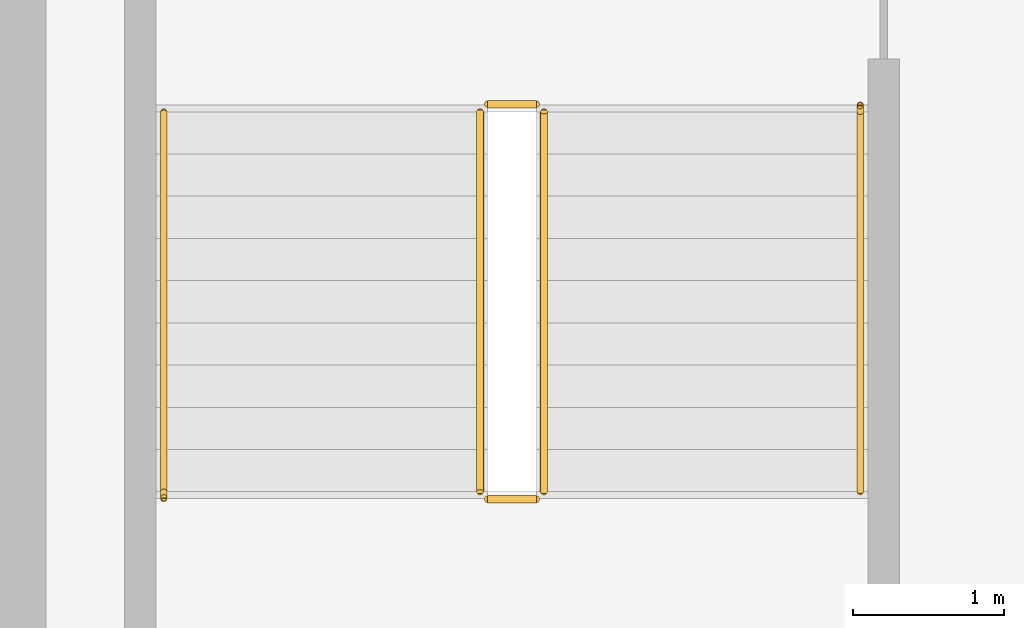
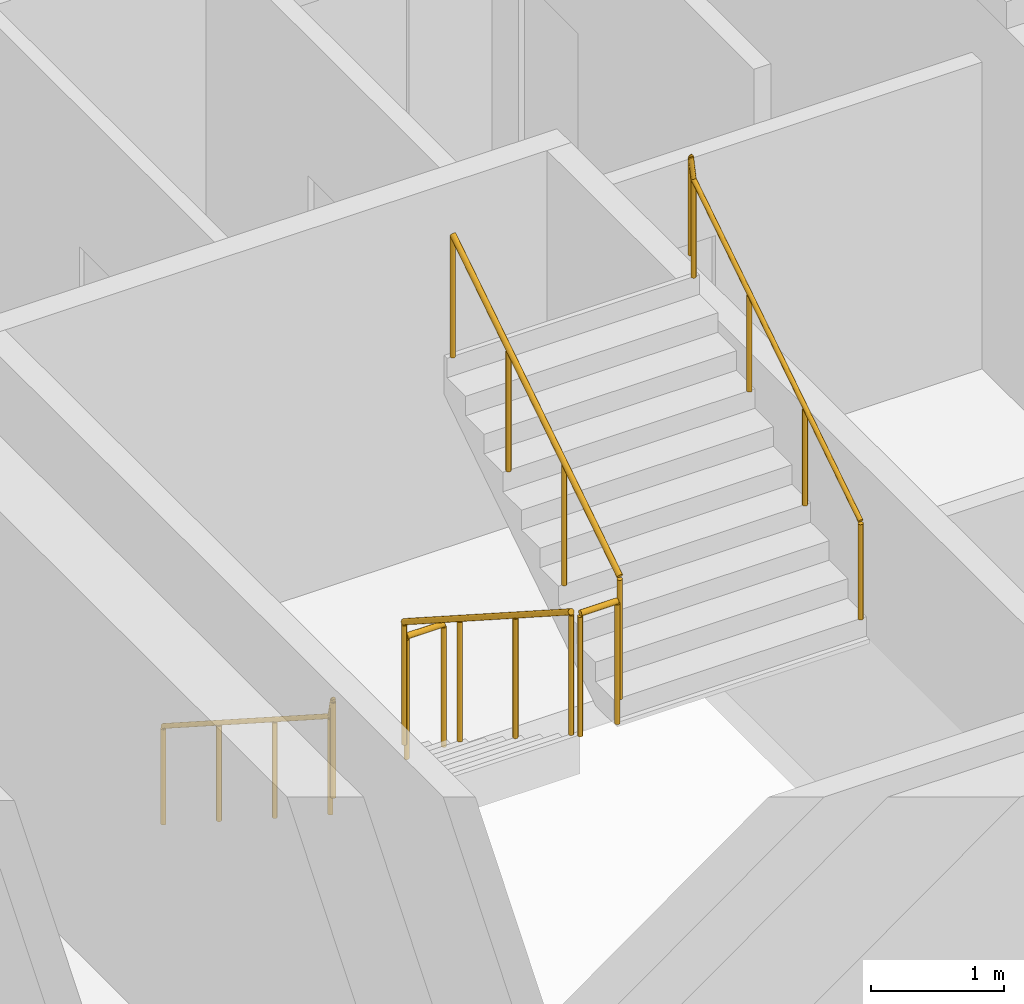
# One storey, part 5 of 7: 6 railings.
"""IFC4 building model written with IfcOpenShell, lengths in metres."""

from ifc_helpers import new_model, si_unit, direction, frame, origin, origin_2d, place, context, subcontext, project, spatial, circle, extrude, material, type_object, element, save


model = new_model("IFC4")

# Units and contexts
model_context = context("Model", 3, precision=1e-05, world=origin(), true_north=direction((0.0, 1.0)))
body_context = subcontext(model_context, "Body", "Model", "MODEL_VIEW")
ifc_project = project(units=[si_unit("LENGTHUNIT", "METRE"), si_unit("AREAUNIT", "SQUARE_METRE"), si_unit("VOLUMEUNIT", "CUBIC_METRE"), si_unit("PLANEANGLEUNIT", "RADIAN"), si_unit("MASSUNIT", "GRAM", prefix="KILO")], contexts=[model_context])

# Site, building, storey
site_placement = place(None, origin())
site = spatial("IfcSite", under=ifc_project, at=site_placement, CompositionType="ELEMENT")
building_placement = place(site_placement, origin())
building = spatial("IfcBuilding", under=site, at=building_placement, Name="Velakula Bourse", CompositionType="ELEMENT")
storey_placement = place(building_placement, frame((0.0, 0.0, 294.14990234375)))
storey = spatial("IfcBuildingStorey", under=building, at=storey_placement, Name="L80", CompositionType="ELEMENT", Elevation=294.14990234375)

# Railings
ifc_material = material(Name="Brushed grade 316 stainless steel", Category="steel")
railing_type_1 = type_object("IfcRailingType", Name="RLG-STAIR-GUARD-1150", PredefinedType="BALUSTRADE", material=ifc_material)
railing_1_placement = place(storey_placement, frame((-15.672119140625, -2.199951171875, 0.18017578125)))
element("IfcRailing", 1, at=railing_1_placement, inside=storey, type_object=railing_type_1, Name="L80 ST-W1 stair guard 1", PredefinedType="BALUSTRADE", context=body_context, shape_type="SweptSolid", body=[
    extrude(circle(Radius=0.02490234375, at=origin_2d()), frame((0.0, 0.0, 1.125), z_axis=(0.0, -0.841199657755, 0.540724639528), x_axis=(1.0, 0.0, 0.0)), (0.0, 0.0, 1.0), 2.995849609375),
    extrude(circle(Radius=0.02099609375, at=origin_2d()), origin(), (0.0, 0.0, 1.0), 1.099853515625),
    extrude(circle(Radius=0.02099609375, at=origin_2d()), frame((0.0, -0.840087890625, 0.5400390625)), (0.0, 0.0, 1.0), 1.099853515625),
    extrude(circle(Radius=0.02099609375, at=origin_2d()), frame((0.0, -1.679931640625, 1.079833984375)), (0.0, 0.0, 1.0), 1.099853515625),
    extrude(circle(Radius=0.02099609375, at=origin_2d()), frame((0.0, -2.52001953125, 1.619873046875)), (0.0, 0.0, 1.0), 1.099853515625),
])
railing_2_placement = place(storey_placement, frame((-15.6220703125, -4.77001953125, 1.800048828125)))
element("IfcRailing", 2, at=railing_2_placement, inside=storey, type_object=railing_type_1, Name="L80 ST-W1 stair guard 2", PredefinedType="BALUSTRADE", context=body_context, shape_type="SweptSolid", body=[
    extrude(circle(Radius=0.02490234375, at=origin_2d()), frame((0.0, 0.0, 1.125), z_axis=(1.0, 0.0, 0.0), x_axis=(0.0, 1.0, 0.0)), (0.0, 0.0, 1.0), 0.323974609375),
    extrude(circle(Radius=0.02099609375, at=origin_2d()), origin(), (0.0, 0.0, 1.0), 1.099853515625),
    extrude(circle(Radius=0.02099609375, at=origin_2d()), frame((0.323974609375, 0.0, 0.0)), (0.0, 0.0, 1.0), 1.099853515625),
])
railing_3_placement = place(storey_placement, frame((-15.248046875, -4.719970703125, 1.97998046875)))
element("IfcRailing", 3, at=railing_3_placement, inside=storey, type_object=railing_type_1, Name="L80 ST-W1 stair guard 3", PredefinedType="BALUSTRADE", context=body_context, shape_type="SweptSolid", body=[
    extrude(circle(Radius=0.02490234375, at=origin_2d()), frame((0.0, 0.0, 1.125), z_axis=(0.0, 0.841162588446, 0.540782303519), x_axis=(-1.0, 0.0, 0.0)), (0.0, 0.0, 1.0), 2.995849609375),
    extrude(circle(Radius=0.02099609375, at=origin_2d()), origin(), (0.0, 0.0, 1.0), 1.099853515625),
    extrude(circle(Radius=0.02099609375, at=origin_2d()), frame((0.0, 0.840087890625, 0.5400390625)), (0.0, 0.0, 1.0), 1.099853515625),
    extrude(circle(Radius=0.02099609375, at=origin_2d()), frame((0.0, 1.679931640625, 1.080078125)), (0.0, 0.0, 1.0), 1.099853515625),
    extrude(circle(Radius=0.02099609375, at=origin_2d()), frame((0.0, 2.52001953125, 1.6201171875)), (0.0, 0.0, 1.0), 1.099853515625),
])
railing_4_placement = place(storey_placement, frame((-15.6220703125, -2.14990234375, 0.0)))
element("IfcRailing", 4, at=railing_4_placement, inside=storey, type_object=railing_type_1, Name="L80 ST-W1 stair guard 4", PredefinedType="BALUSTRADE", context=body_context, shape_type="SweptSolid", body=[
    extrude(circle(Radius=0.02490234375, at=origin_2d()), frame((0.0, 0.0, 1.125), z_axis=(1.0, 0.0, 0.0), x_axis=(0.0, 1.0, 0.0)), (0.0, 0.0, 1.0), 0.323974609375),
    extrude(circle(Radius=0.02099609375, at=origin_2d()), origin(), (0.0, 0.0, 1.0), 1.099853515625),
    extrude(circle(Radius=0.02099609375, at=origin_2d()), frame((0.323974609375, 0.0, 0.0)), (0.0, 0.0, 1.0), 1.099853515625),
])
railing_type_2 = type_object("IfcRailingType", Name="RLG-STAIR-HAND-920", PredefinedType="HANDRAIL", material=ifc_material)
railing_5_placement = place(storey_placement, frame((-17.77001953125, -2.199951171875, 0.18017578125)))
element("IfcRailing", 5, at=railing_5_placement, inside=storey, type_object=railing_type_2, Name="L80 ST-W1 stair handrail 1", PredefinedType="HANDRAIL", context=body_context, shape_type="SweptSolid", body=[
    extrude(circle(Radius=0.02099609375, at=origin_2d()), frame((0.0, 0.0, 0.89892578125), z_axis=(0.0, -0.841199657755, 0.540724639528), x_axis=(1.0, 0.0, 0.0)), (0.0, 0.0, 1.0), 2.995849609375),
    extrude(circle(Radius=0.02099609375, at=origin_2d()), frame((0.0, -2.52001953125, 2.518798828125), z_axis=(0.0, -0.217210922078, 0.976124692511), x_axis=(1.0, 0.0, 0.0)), (0.0, 0.0, 1.0), 0.184326171875),
    extrude(circle(Radius=0.02099609375, at=origin_2d()), frame((0.0, -2.56005859375, 2.69873046875), z_axis=(0.0, -1.0, 0.0), x_axis=(1.0, 0.0, 0.0)), (0.0, 0.0, 1.0), 0.0048828125),
    extrude(circle(Radius=0.02099609375, at=origin_2d()), origin(), (0.0, 0.0, 1.0), 0.8779296875),
    extrude(circle(Radius=0.02099609375, at=origin_2d()), frame((0.0, -0.840087890625, 0.5400390625)), (0.0, 0.0, 1.0), 0.8779296875),
    extrude(circle(Radius=0.02099609375, at=origin_2d()), frame((0.0, -1.679931640625, 1.079833984375)), (0.0, 0.0, 1.0), 0.8779296875),
    extrude(circle(Radius=0.02099609375, at=origin_2d()), frame((0.0, -2.52001953125, 1.619873046875)), (0.0, 0.0, 1.0), 0.8779296875),
    extrude(circle(Radius=0.02099609375, at=origin_2d()), frame((0.0, -2.56005859375, 1.7998046875)), (0.0, 0.0, 1.0), 0.8779296875),
    extrude(circle(Radius=0.02099609375, at=origin_2d()), frame((0.0, -2.56494140625, 1.7998046875)), (0.0, 0.0, 1.0), 0.8779296875),
])
railing_6_placement = place(storey_placement, frame((-13.14990234375, -4.719970703125, 1.97998046875)))
element("IfcRailing", 6, at=railing_6_placement, inside=storey, type_object=railing_type_2, Name="L80 ST-W1 stair handrail 2", PredefinedType="HANDRAIL", context=body_context, shape_type="SweptSolid", body=[
    extrude(circle(Radius=0.02099609375, at=origin_2d()), frame((0.0, 0.0, 0.89892578125), z_axis=(0.0, 0.841162588446, 0.540782303519), x_axis=(-1.0, 0.0, 0.0)), (0.0, 0.0, 1.0), 2.995849609375),
    extrude(circle(Radius=0.02099609375, at=origin_2d()), frame((0.0, 2.52001953125, 2.51904296875), z_axis=(0.0, 0.217210922078, 0.976124692511), x_axis=(-1.0, 0.0, 0.0)), (0.0, 0.0, 1.0), 0.184326171875),
    extrude(circle(Radius=0.02099609375, at=origin_2d()), frame((0.0, 2.56005859375, 2.698974609375), z_axis=(0.0, 1.0, 0.0), x_axis=(-1.0, 0.0, 0.0)), (0.0, 0.0, 1.0), 0.0048828125),
    extrude(circle(Radius=0.02099609375, at=origin_2d()), origin(), (0.0, 0.0, 1.0), 0.8779296875),
    extrude(circle(Radius=0.02099609375, at=origin_2d()), frame((0.0, 0.840087890625, 0.5400390625)), (0.0, 0.0, 1.0), 0.8779296875),
    extrude(circle(Radius=0.02099609375, at=origin_2d()), frame((0.0, 1.679931640625, 1.080078125)), (0.0, 0.0, 1.0), 0.8779296875),
    extrude(circle(Radius=0.02099609375, at=origin_2d()), frame((0.0, 2.52001953125, 1.6201171875)), (0.0, 0.0, 1.0), 0.8779296875),
    extrude(circle(Radius=0.02099609375, at=origin_2d()), frame((0.0, 2.56005859375, 1.800048828125)), (0.0, 0.0, 1.0), 0.8779296875),
    extrude(circle(Radius=0.02099609375, at=origin_2d()), frame((0.0, 2.56494140625, 1.800048828125)), (0.0, 0.0, 1.0), 0.8779296875),
])

save(model, "model.ifc")
